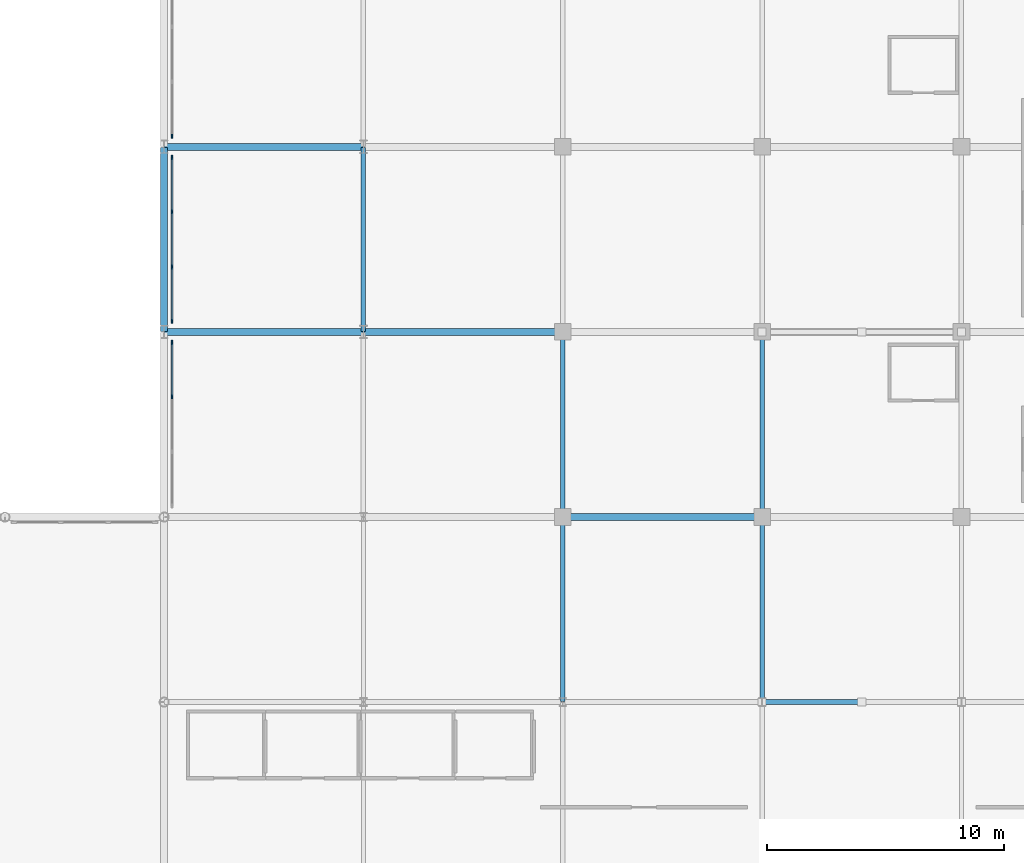
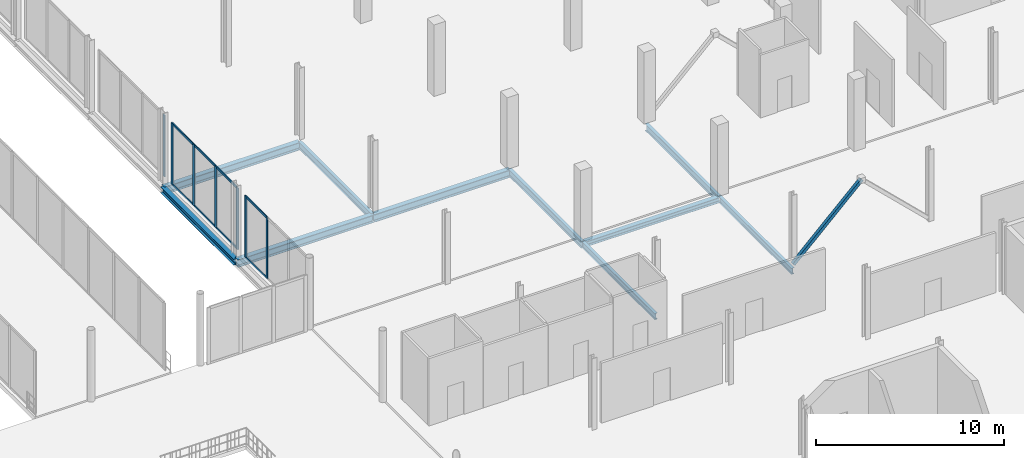
# One storey, part 49 of 98: 16 members, 10 beams, 3 elements without a shape of their own.
"""IFC4 building model written with IfcOpenShell, lengths in metres."""

import ifcopenshell
import ifcopenshell.guid

model = None  # the IFC model being written
_history = None  # IfcOwnerHistory: only IFC2X3 demands one
_inside = {}  # id of a spatial element -> (the spatial element, [elements in it])
_under = {}  # id of a project, library or spatial element -> (it, [spatial elements below it])
_declared = {}  # id of a project -> (the project, [libraries it declares])
_typed = {}  # id of a type object -> (the type object, [elements of that type])
_made_of = {}  # id of a material, layer set ... -> (it, [elements and type objects made of it])


def new_model(schema):
    """Start an empty IFC model of exactly this schema.

    Asked for "IFC4X3", IfcOpenShell would pick the latest addendum, in which some entities
    have other attributes; the version numbers below select the first issue.
    IFC2X3 requires an IfcOwnerHistory on every rooted entity: one is made here for all.
    """
    global model, _history
    if schema == "IFC4X3":
        model = ifcopenshell.file(schema_version=(4, 3, 0, 0))
    else:
        model = ifcopenshell.file(schema=schema)
    _inside.clear()
    _under.clear()
    _declared.clear()
    _typed.clear()
    _made_of.clear()
    _history = None
    if model.schema == "IFC2X3":
        org = make("IfcOrganization", Name="unknown")
        user = make(
            "IfcPersonAndOrganization",
            ThePerson=make("IfcPerson", FamilyName="unknown"),
            TheOrganization=org,
        )
        app = make(
            "IfcApplication",
            ApplicationDeveloper=org,
            Version="unknown",
            ApplicationFullName="unknown",
            ApplicationIdentifier="unknown",
        )
        _history = make(
            "IfcOwnerHistory",
            OwningUser=user,
            OwningApplication=app,
            ChangeAction="ADDED",
            CreationDate=0,
        )
    return model


def make(cls, **values):
    """One entity of the class cls with the attributes given. An attribute that is None is left unset."""
    return model.create_entity(
        cls, **{name: value for name, value in values.items() if value is not None}
    )


def rooted(cls, **values):
    """An entity with a GlobalId (a new one), such as an element, a storey or a relation."""
    return make(cls, GlobalId=ifcopenshell.guid.new(), OwnerHistory=_history, **values)


def si_unit(unit_type, name, prefix=None):
    """IfcSIUnit, for example si_unit("LENGTHUNIT", "METRE", prefix="MILLI")."""
    return make("IfcSIUnit", UnitType=unit_type, Prefix=prefix, Name=name)


def assignment(units):
    """IfcUnitAssignment: the units of a project."""
    return None if units is None else make("IfcUnitAssignment", Units=units)


def point(xyz):
    """IfcCartesianPoint."""
    return None if xyz is None else make("IfcCartesianPoint", Coordinates=xyz)


def direction(xyz):
    """IfcDirection."""
    return None if xyz is None else make("IfcDirection", DirectionRatios=xyz)


def frame(location, z_axis=None, x_axis=None):
    """IfcAxis2Placement3D, a coordinate frame: its origin and axes. An axis left out is left unset."""
    return make(
        "IfcAxis2Placement3D",
        Location=point(location),
        Axis=direction(z_axis),
        RefDirection=direction(x_axis),
    )


def frame_2d(location, x_axis=None):
    """IfcAxis2Placement2D, a coordinate frame in the plane: its origin and x axis."""
    return make(
        "IfcAxis2Placement2D", Location=point(location), RefDirection=direction(x_axis)
    )


def origin():
    """The frame at (0, 0, 0) with its axes left unset."""
    return frame((0.0, 0.0, 0.0))


def origin_2d():
    """The frame at (0, 0) in the plane with its x axis left unset."""
    return frame_2d((0.0, 0.0))


def place(relative_to, where):
    """IfcLocalPlacement: puts the frame where relative to a parent placement (None: the world)."""
    return make(
        "IfcLocalPlacement", PlacementRelTo=relative_to, RelativePlacement=where
    )


def context(
    kind, dimensions, precision=None, world=None, true_north=None, identifier=None
):
    """IfcGeometricRepresentationContext, for example the 3D "Model" context."""
    return make(
        "IfcGeometricRepresentationContext",
        ContextIdentifier=identifier,
        ContextType=kind,
        CoordinateSpaceDimension=dimensions,
        Precision=precision,
        WorldCoordinateSystem=world,
        TrueNorth=true_north,
    )


def subcontext(parent, identifier, kind, view, scale=None):
    """IfcGeometricRepresentationSubContext, for example "Body" below "Model"."""
    return make(
        "IfcGeometricRepresentationSubContext",
        ContextIdentifier=identifier,
        ContextType=kind,
        ParentContext=parent,
        TargetScale=scale,
        TargetView=view,
    )


def project(units=None, contexts=None):
    """IfcProject with its units and contexts."""
    return rooted(
        "IfcProject",
        Name="project",
        RepresentationContexts=contexts,
        UnitsInContext=assignment(units),
    )


def spatial(cls, under=None, at=None, **own):
    """A site, building, storey or space (cls), placed at a placement, below another one or the project."""
    s = rooted(cls, ObjectPlacement=at, **own)
    if under is not None:
        _under.setdefault(under.id(), (under, []))[1].append(s)
    return s


def profile(cls, at=None, kind="AREA", **sizes):
    """A parametric profile (cls). Its sizes go by their IFC names, for example OverallWidth=200.0."""
    return make(cls, ProfileType=kind, Position=at, **sizes)


def rectangle(**sizes):
    """IfcRectangleProfileDef."""
    return profile("IfcRectangleProfileDef", **sizes)


def hollow_rectangle(**sizes):
    """IfcRectangleHollowProfileDef."""
    return profile("IfcRectangleHollowProfileDef", **sizes)


def i_section(**sizes):
    """IfcIShapeProfileDef."""
    return profile("IfcIShapeProfileDef", **sizes)


def extrude(swept, where, along, depth):
    """IfcExtrudedAreaSolid: the profile swept, set in the frame where, extruded along a direction by depth."""
    return make(
        "IfcExtrudedAreaSolid",
        SweptArea=swept,
        Position=where,
        ExtrudedDirection=direction(along),
        Depth=depth,
    )


def shape(context_of_items, identifier, shape_type, items):
    """IfcShapeRepresentation: the items that make up one representation, for example the "Body"."""
    return make(
        "IfcShapeRepresentation",
        ContextOfItems=context_of_items,
        RepresentationIdentifier=identifier,
        RepresentationType=shape_type,
        Items=items,
    )


def material(Name=None, Category=None):
    """IfcMaterial."""
    return make("IfcMaterial", Name=Name, Category=Category)


def material_profile(
    of_material, cross_section, Name=None, Category=None, Priority=None
):
    """IfcMaterialProfile: a cross section and its material."""
    return make(
        "IfcMaterialProfile",
        Name=Name,
        Material=of_material,
        Profile=cross_section,
        Priority=Priority,
        Category=Category,
    )


def profile_set(profiles, Name=None, composite=None):
    """IfcMaterialProfileSet."""
    return make(
        "IfcMaterialProfileSet",
        Name=Name,
        MaterialProfiles=profiles,
        CompositeProfile=composite,
    )


def made_of(thing, what):
    """Note that an element or type object is made of a material, layer set ...; save() writes the relation."""
    if what is not None:
        _made_of.setdefault(what.id(), (what, []))[1].append(thing)
    return thing


def type_object(cls, material=None, **own):
    """A type object (cls), such as IfcWallType, which elements share."""
    return made_of(rooted(cls, **own), material)


def element(
    cls,
    number,
    at=None,
    inside=None,
    cuts=None,
    type_object=None,
    material=None,
    context=None,
    identifier="Body",
    shape_type=None,
    held_by="IfcProductDefinitionShape",
    body=None,
    shapes=None,
    **own,
):
    """One element of the class cls, such as IfcWall. Its Tag is "e" and its number.

    at: its placement. inside: the storey or other place that contains it. cuts: it is an
    opening in that element (IfcRelVoidsElement). A single representation is given by context,
    identifier, shape_type and body (its items); several are given by shapes. held_by: the class
    of the entity that holds the representations. save() writes the other relations.
    """
    e = rooted(cls, Tag="e%d" % number, ObjectPlacement=at, **own)
    if body is not None:
        shapes = [shape(context, identifier, shape_type, body)]
    if shapes is not None:
        e.Representation = make(held_by, Representations=shapes)
    if inside is not None:
        _inside.setdefault(inside.id(), (inside, []))[1].append(e)
    if cuts is not None:
        rooted(
            "IfcRelVoidsElement", RelatingBuildingElement=cuts, RelatedOpeningElement=e
        )
    if type_object is not None:
        _typed.setdefault(type_object.id(), (type_object, []))[1].append(e)
    return made_of(e, material)


def aggregate(whole, parts):
    """IfcRelAggregates: a whole, such as a stair, and the parts it consists of."""
    return rooted("IfcRelAggregates", RelatingObject=whole, RelatedObjects=parts)


def save(model, path):
    """Write the relations noted so far, then the file.

    IfcRelAggregates (storeys below a building ...), IfcRelContainedInSpatialStructure (elements
    in a storey), IfcRelDefinesByType, IfcRelAssociatesMaterial and IfcRelDeclares: one each for
    every whole, place, type object, material and project.
    """
    for whole, parts in _under.values():
        aggregate(whole, parts)
    for where, things in _inside.values():
        rooted(
            "IfcRelContainedInSpatialStructure",
            RelatedElements=things,
            RelatingStructure=where,
        )
    for kind, things in _typed.values():
        rooted("IfcRelDefinesByType", RelatedObjects=things, RelatingType=kind)
    for what, things in _made_of.values():
        rooted("IfcRelAssociatesMaterial", RelatedObjects=things, RelatingMaterial=what)
    for by, libraries in _declared.values():
        rooted("IfcRelDeclares", RelatingContext=by, RelatedDefinitions=libraries)
    model.write(path)


model = new_model("IFC4")

# Units and contexts
model_context = context("Model", 3, precision=1e-05, world=origin(), true_north=direction((0.0, 1.0)))
body_context = subcontext(model_context, "Body", "Model", "MODEL_VIEW")
ifc_project = project(units=[si_unit("LENGTHUNIT", "METRE"), si_unit("AREAUNIT", "SQUARE_METRE"), si_unit("VOLUMEUNIT", "CUBIC_METRE"), si_unit("PLANEANGLEUNIT", "RADIAN"), si_unit("MASSUNIT", "GRAM", prefix="KILO")], contexts=[model_context])

# Site, building, storey
site_placement = place(None, origin())
site = spatial("IfcSite", under=ifc_project, at=site_placement, CompositionType="ELEMENT")
building_placement = place(site_placement, origin())
building = spatial("IfcBuilding", under=site, at=building_placement, Name="Nabrawat Pavilion Hospital", CompositionType="ELEMENT")
storey_placement = place(building_placement, frame((0.0, 0.0, 10.199951171875)))
storey = spatial("IfcBuildingStorey", under=building, at=storey_placement, Name="L02", CompositionType="ELEMENT", Elevation=10.199951171875)

# Curtain wall, members
ifc_material_1 = material(Name="Anodised Aluminium", Category="aluminium")
curtain_wall_type = type_object("IfcCurtainWallType", Name="Healing Garden Cloister Curtain Wall", PredefinedType="USERDEFINED", material=ifc_material_1)
curtain_wall_1_placement = place(storey_placement, origin())
curtain_wall_1 = element("IfcCurtainWall", 1, at=curtain_wall_1_placement, inside=storey, type_object=curtain_wall_type, Name="L02 Healing Garden Cloister Curtain Wall 131", ObjectType="CURTAIN WALL", PredefinedType="USERDEFINED")
ifc_material_profile_1 = material_profile(ifc_material_1, rectangle(XDim=0.06494140625, YDim=0.179931640625, at=origin_2d()), Name="CWM 65x180")
ifc_profile_set_1 = profile_set([ifc_material_profile_1], Name="Anodised Aluminium")
member_type_1 = type_object("IfcMemberType", Name="Healing Garden Cloister Curtain Wall Mullion CWM 65x180", PredefinedType="MULLION", material=ifc_profile_set_1)
member_1_placement = place(storey_placement, frame((126.340087890625, 44.070068359375, 0.0), z_axis=(0.0, 0.0, 1.0), x_axis=(-1.0, 0.0, 0.0)))
member_1 = element("IfcMember", 2, at=member_1_placement, type_object=member_type_1, Name="CW-CLN-01 mullion 3", PredefinedType="MULLION", context=body_context, shape_type="SweptSolid", body=[
    extrude(rectangle(XDim=0.06494140625, YDim=0.179931640625, at=origin_2d()), origin(), (0.0, 0.0, 1.0), 3.989990234375),
])
member_2_placement = place(storey_placement, frame((126.340087890625, 46.3525390625, 0.0), z_axis=(0.0, 0.0, 1.0), x_axis=(-1.0, 0.0, 0.0)))
member_2 = element("IfcMember", 3, at=member_2_placement, type_object=member_type_1, Name="CW-CLN-01 mullion 4", PredefinedType="MULLION", context=body_context, shape_type="SweptSolid", body=[
    extrude(rectangle(XDim=0.06494140625, YDim=0.179931640625, at=origin_2d()), origin(), (0.0, 0.0, 1.0), 3.989990234375),
])

curtain_wall_2_placement = place(storey_placement, origin())
curtain_wall_2 = element("IfcCurtainWall", 4, at=curtain_wall_2_placement, inside=storey, type_object=curtain_wall_type, Name="L02 Healing Garden Cloister Curtain Wall 132", ObjectType="CURTAIN WALL", PredefinedType="USERDEFINED")
member_3_placement = place(storey_placement, frame((126.340087890625, 47.24755859375, 0.0), z_axis=(0.0, 0.0, 1.0), x_axis=(-1.0, 0.0, 0.0)))
member_3 = element("IfcMember", 5, at=member_3_placement, type_object=member_type_1, Name="CW-CLN-01 mullion 1", PredefinedType="MULLION", context=body_context, shape_type="SweptSolid", body=[
    extrude(rectangle(XDim=0.06494140625, YDim=0.179931640625, at=origin_2d()), origin(), (0.0, 0.0, 1.0), 3.989990234375),
])
member_4_placement = place(storey_placement, frame((126.340087890625, 49.538330078125, 0.0), z_axis=(0.0, 0.0, 1.0), x_axis=(-1.0, 0.0, 0.0)))
member_4 = element("IfcMember", 6, at=member_4_placement, type_object=member_type_1, Name="CW-CLN-01 mullion 2", PredefinedType="MULLION", context=body_context, shape_type="SweptSolid", body=[
    extrude(rectangle(XDim=0.06494140625, YDim=0.179931640625, at=origin_2d()), origin(), (0.0, 0.0, 1.0), 3.989990234375),
])
member_5_placement = place(storey_placement, frame((126.340087890625, 51.861572265625, 0.0), z_axis=(0.0, 0.0, 1.0), x_axis=(-1.0, 0.0, 0.0)))
member_5 = element("IfcMember", 7, at=member_5_placement, type_object=member_type_1, Name="CW-CLN-01 mullion 3", PredefinedType="MULLION", context=body_context, shape_type="SweptSolid", body=[
    extrude(rectangle(XDim=0.06494140625, YDim=0.179931640625, at=origin_2d()), origin(), (0.0, 0.0, 1.0), 3.989990234375),
])
member_6_placement = place(storey_placement, frame((126.340087890625, 54.152587890625, 0.0), z_axis=(0.0, 0.0, 1.0), x_axis=(-1.0, 0.0, 0.0)))
member_6 = element("IfcMember", 8, at=member_6_placement, type_object=member_type_1, Name="CW-CLN-01 mullion 4", PredefinedType="MULLION", context=body_context, shape_type="SweptSolid", body=[
    extrude(rectangle(XDim=0.06494140625, YDim=0.179931640625, at=origin_2d()), origin(), (0.0, 0.0, 1.0), 3.989990234375),
])

# Curtain wall, member
curtain_wall_3_placement = place(storey_placement, origin())
curtain_wall_3 = element("IfcCurtainWall", 9, at=curtain_wall_3_placement, inside=storey, type_object=curtain_wall_type, Name="L02 Healing Garden Cloister Curtain Wall 133", ObjectType="CURTAIN WALL", PredefinedType="USERDEFINED")
member_7_placement = place(storey_placement, frame((126.340087890625, 55.047607421875, 0.0), z_axis=(0.0, 0.0, 1.0), x_axis=(-1.0, 0.0, 0.0)))
member_7 = element("IfcMember", 10, at=member_7_placement, type_object=member_type_1, Name="CW-CLN-01 mullion 1", PredefinedType="MULLION", context=body_context, shape_type="SweptSolid", body=[
    extrude(rectangle(XDim=0.06494140625, YDim=0.179931640625, at=origin_2d()), origin(), (0.0, 0.0, 1.0), 3.989990234375),
])
aggregate(curtain_wall_3, [member_7])

# Member
ifc_material_profile_2 = material_profile(ifc_material_1, rectangle(XDim=0.06494140625, YDim=0.135009765625, at=origin_2d()), Name="CWT 65x135")
ifc_profile_set_2 = profile_set([ifc_material_profile_2], Name="Anodised Aluminium")
member_type_2 = type_object("IfcMemberType", Name="Healing Garden Cloister Curtain Wall Transom CWT 65x135", PredefinedType="USERDEFINED", material=ifc_profile_set_2)
member_8_placement = place(storey_placement, frame((126.340087890625, 44.1025390625, 0.032470703125), z_axis=(0.0, 1.0, 0.0), x_axis=(-1.0, 0.0, 0.0)))
member_8 = element("IfcMember", 11, at=member_8_placement, type_object=member_type_2, Name="CW-CLN-01 transom 3.1", ObjectType="TRANSOM", PredefinedType="USERDEFINED", context=body_context, shape_type="SweptSolid", body=[
    extrude(rectangle(XDim=0.06494140625, YDim=0.135009765625, at=origin_2d()), origin(), (0.0, 0.0, 1.0), 2.217529296875),
])

member_9_placement = place(storey_placement, frame((126.340087890625, 44.1025390625, 3.95751953125), z_axis=(0.0, 1.0, 0.0), x_axis=(-1.0, 0.0, 0.0)))
member_9 = element("IfcMember", 12, at=member_9_placement, type_object=member_type_2, Name="CW-CLN-01 transom 3.2", ObjectType="TRANSOM", PredefinedType="USERDEFINED", context=body_context, shape_type="SweptSolid", body=[
    extrude(rectangle(XDim=0.06494140625, YDim=0.135009765625, at=origin_2d()), origin(), (0.0, 0.0, 1.0), 2.217529296875),
])

aggregate(curtain_wall_1, [member_1, member_2, member_8, member_9])

member_10_placement = place(storey_placement, frame((126.340087890625, 47.280029296875, 0.032470703125), z_axis=(0.0, 1.0, 0.0), x_axis=(-1.0, 0.0, 0.0)))
member_10 = element("IfcMember", 13, at=member_10_placement, type_object=member_type_2, Name="CW-CLN-01 transom 1.1", ObjectType="TRANSOM", PredefinedType="USERDEFINED", context=body_context, shape_type="SweptSolid", body=[
    extrude(rectangle(XDim=0.06494140625, YDim=0.135009765625, at=origin_2d()), origin(), (0.0, 0.0, 1.0), 2.225830078125),
])

member_11_placement = place(storey_placement, frame((126.340087890625, 47.280029296875, 3.95751953125), z_axis=(0.0, 1.0, 0.0), x_axis=(-1.0, 0.0, 0.0)))
member_11 = element("IfcMember", 14, at=member_11_placement, type_object=member_type_2, Name="CW-CLN-01 transom 1.2", ObjectType="TRANSOM", PredefinedType="USERDEFINED", context=body_context, shape_type="SweptSolid", body=[
    extrude(rectangle(XDim=0.06494140625, YDim=0.135009765625, at=origin_2d()), origin(), (0.0, 0.0, 1.0), 2.225830078125),
])

member_12_placement = place(storey_placement, frame((126.340087890625, 49.57080078125, 0.032470703125), z_axis=(0.0, 1.0, 0.0), x_axis=(-1.0, 0.0, 0.0)))
member_12 = element("IfcMember", 15, at=member_12_placement, type_object=member_type_2, Name="CW-CLN-01 transom 2.1", ObjectType="TRANSOM", PredefinedType="USERDEFINED", context=body_context, shape_type="SweptSolid", body=[
    extrude(rectangle(XDim=0.06494140625, YDim=0.135009765625, at=origin_2d()), origin(), (0.0, 0.0, 1.0), 2.25830078125),
])

member_13_placement = place(storey_placement, frame((126.340087890625, 49.57080078125, 3.95751953125), z_axis=(0.0, 1.0, 0.0), x_axis=(-1.0, 0.0, 0.0)))
member_13 = element("IfcMember", 16, at=member_13_placement, type_object=member_type_2, Name="CW-CLN-01 transom 2.2", ObjectType="TRANSOM", PredefinedType="USERDEFINED", context=body_context, shape_type="SweptSolid", body=[
    extrude(rectangle(XDim=0.06494140625, YDim=0.135009765625, at=origin_2d()), origin(), (0.0, 0.0, 1.0), 2.25830078125),
])

member_14_placement = place(storey_placement, frame((126.340087890625, 51.894287109375, 0.032470703125), z_axis=(0.0, 1.0, 0.0), x_axis=(-1.0, 0.0, 0.0)))
member_14 = element("IfcMember", 17, at=member_14_placement, type_object=member_type_2, Name="CW-CLN-01 transom 3.1", ObjectType="TRANSOM", PredefinedType="USERDEFINED", context=body_context, shape_type="SweptSolid", body=[
    extrude(rectangle(XDim=0.06494140625, YDim=0.135009765625, at=origin_2d()), origin(), (0.0, 0.0, 1.0), 2.225830078125),
])

member_15_placement = place(storey_placement, frame((126.340087890625, 51.894287109375, 3.95751953125), z_axis=(0.0, 1.0, 0.0), x_axis=(-1.0, 0.0, 0.0)))
member_15 = element("IfcMember", 18, at=member_15_placement, type_object=member_type_2, Name="CW-CLN-01 transom 3.2", ObjectType="TRANSOM", PredefinedType="USERDEFINED", context=body_context, shape_type="SweptSolid", body=[
    extrude(rectangle(XDim=0.06494140625, YDim=0.135009765625, at=origin_2d()), origin(), (0.0, 0.0, 1.0), 2.225830078125),
])

aggregate(curtain_wall_2, [member_3, member_4, member_5, member_6, member_10, member_11, member_12, member_13, member_14, member_15])

ifc_material_2 = material(Name="Steel S355", Category="steel")
ifc_material_profile_3 = material_profile(ifc_material_2, hollow_rectangle(XDim=0.199951171875, YDim=0.199951171875, WallThickness=0.012451171875, at=origin_2d()), Name="SHS 200x200x12.5")
ifc_profile_set_3 = profile_set([ifc_material_profile_3], Name="Steel S355")
member_type_3 = type_object("IfcMemberType", Name="Mid Seismic Chevron Brace SHS 200x200x12.5", PredefinedType="BRACE", material=ifc_profile_set_3)
member_16_placement = place(storey_placement, frame((151.199951171875, 31.199951171875, 0.050048828125), z_axis=(0.719836081517, 0.0, 0.694144088606), x_axis=(0.0, 1.0, 0.0)))
element("IfcMember", 19, at=member_16_placement, inside=storey, type_object=member_type_3, Name="L02 Seismic Concentric Chevron Brace 041", PredefinedType="BRACE", context=body_context, shape_type="SweptSolid", body=[
    extrude(hollow_rectangle(XDim=0.199951171875, YDim=0.199951171875, WallThickness=0.012451171875, at=origin_2d()), origin(), (0.0, 0.0, 1.0), 5.83447265625),
])

# Beams
ifc_material_profile_4 = material_profile(ifc_material_2, i_section(OverallWidth=0.300048828125, OverallDepth=0.389892578125, WebThickness=0.010986328125, FlangeThickness=0.01904296875, FilletRadius=0.027099609375, at=origin_2d()), Name="HEA 400")
ifc_profile_set_4 = profile_set([ifc_material_profile_4], Name="Steel S355")
beam_type_1 = type_object("IfcBeamType", Name="Perimeter Moment Spandrel Beam HEA 400", PredefinedType="SPANDREL", material=ifc_profile_set_4)
beam_1_placement = place(storey_placement, frame((126.0, 46.820068359375, -0.445068359375), z_axis=(0.0, 1.0, 0.0), x_axis=(-1.0, 0.0, 0.0)))
element("IfcBeam", 20, at=beam_1_placement, inside=storey, type_object=beam_type_1, Name="L02 Primary Y Beam 1282", PredefinedType="SPANDREL", context=body_context, shape_type="SweptSolid", body=[
    extrude(i_section(OverallWidth=0.300048828125, OverallDepth=0.389892578125, WebThickness=0.010986328125, FlangeThickness=0.01904296875, FilletRadius=0.027099609375, at=origin_2d()), origin(), (0.0, 0.0, 1.0), 7.760009765625),
])
ifc_material_profile_5 = material_profile(ifc_material_2, i_section(OverallWidth=0.300048828125, OverallDepth=0.5, WebThickness=0.014404296875, FlangeThickness=0.028076171875, FilletRadius=0.027099609375, at=origin_2d()), Name="HEB 500")
ifc_profile_set_5 = profile_set([ifc_material_profile_5], Name="Steel S355")
beam_type_2 = type_object("IfcBeamType", Name="Primary Floor Girder HEB 500", PredefinedType="USERDEFINED", material=ifc_profile_set_5)
beam_2_placement = place(storey_placement, frame((126.02001953125, 46.800048828125, -0.5), z_axis=(1.0, 0.0, 0.0), x_axis=(0.0, 1.0, 0.0)))
element("IfcBeam", 21, at=beam_2_placement, inside=storey, type_object=beam_type_2, Name="L02 Primary X Girder 1018", ObjectType="GIRDER", PredefinedType="USERDEFINED", context=body_context, shape_type="SweptSolid", body=[
    extrude(i_section(OverallWidth=0.300048828125, OverallDepth=0.5, WebThickness=0.014404296875, FlangeThickness=0.028076171875, FilletRadius=0.027099609375, at=origin_2d()), origin(), (0.0, 0.0, 1.0), 8.35986328125),
])
beam_3_placement = place(storey_placement, frame((134.419921875, 46.800048828125, -0.5), z_axis=(1.0, 0.0, 0.0), x_axis=(0.0, 1.0, 0.0)))
element("IfcBeam", 22, at=beam_3_placement, inside=storey, type_object=beam_type_2, Name="L02 Primary X Girder 1019", ObjectType="GIRDER", PredefinedType="USERDEFINED", context=body_context, shape_type="SweptSolid", body=[
    extrude(i_section(OverallWidth=0.300048828125, OverallDepth=0.5, WebThickness=0.014404296875, FlangeThickness=0.028076171875, FilletRadius=0.027099609375, at=origin_2d()), origin(), (0.0, 0.0, 1.0), 8.360107421875),
])
beam_4_placement = place(storey_placement, frame((126.02001953125, 54.60009765625, -0.5), z_axis=(1.0, 0.0, 0.0), x_axis=(0.0, 1.0, 0.0)))
element("IfcBeam", 23, at=beam_4_placement, inside=storey, type_object=beam_type_2, Name="L02 Primary X Girder 1032", ObjectType="GIRDER", PredefinedType="USERDEFINED", context=body_context, shape_type="SweptSolid", body=[
    extrude(i_section(OverallWidth=0.300048828125, OverallDepth=0.5, WebThickness=0.014404296875, FlangeThickness=0.028076171875, FilletRadius=0.027099609375, at=origin_2d()), origin(), (0.0, 0.0, 1.0), 8.35986328125),
])
ifc_material_profile_6 = material_profile(ifc_material_2, i_section(OverallWidth=0.18994140625, OverallDepth=0.449951171875, WebThickness=0.009521484375, FlangeThickness=0.0146484375, FilletRadius=0.02099609375, at=origin_2d()), Name="IPE 450")
ifc_profile_set_6 = profile_set([ifc_material_profile_6], Name="Steel S355")
beam_type_3 = type_object("IfcBeamType", Name="Primary Y Floor Beam IPE 450", PredefinedType="BEAM", material=ifc_profile_set_6)
for number, where, z_axis, x_axis, name in (
    (24, (134.39990234375, 46.820068359375, -0.474853515625), (0.0, 1.0, 0.0), (-1.0, 0.0, 0.0), "L02 Primary Y Beam 1298"),
    (25, (142.800048828125, 39.02001953125, -0.474853515625), (0.0, 1.0, 0.0), (-1.0, 0.0, 0.0), "L02 Primary Y Beam 1313"),
    (26, (151.199951171875, 39.02001953125, -0.474853515625), (0.0, 1.0, 0.0), (-1.0, 0.0, 0.0), "L02 Primary Y Beam 1329"),
):
    element("IfcBeam", number, at=place(storey_placement, frame(where, z_axis=z_axis, x_axis=x_axis)), inside=storey, type_object=beam_type_3, Name=name, PredefinedType="BEAM", context=body_context, shape_type="SweptSolid", body=[
        extrude(i_section(OverallWidth=0.18994140625, OverallDepth=0.449951171875, WebThickness=0.009521484375, FlangeThickness=0.0146484375, FilletRadius=0.02099609375, at=origin_2d()), origin(), (0.0, 0.0, 1.0), 7.760009765625),
    ])
ifc_material_profile_7 = material_profile(ifc_material_2, i_section(OverallWidth=0.179931640625, OverallDepth=0.39990234375, WebThickness=0.008544921875, FlangeThickness=0.013427734375, FilletRadius=0.02099609375, at=origin_2d()), Name="IPE 400")
ifc_profile_set_7 = profile_set([ifc_material_profile_7], Name="Steel S355")
beam_type_4 = type_object("IfcBeamType", Name="Standard Y Floor Beam IPE 400", PredefinedType="BEAM", material=ifc_profile_set_7)
for number, where, z_axis, x_axis, name in (
    (27, (142.800048828125, 31.219970703125, -0.429931640625), (0.0, 1.0, 0.0), (-1.0, 0.0, 0.0), "L02 Primary Y Beam 1312"),
    (28, (151.199951171875, 31.219970703125, -0.429931640625), (0.0, 1.0, 0.0), (-1.0, 0.0, 0.0), "L02 Primary Y Beam 1328"),
):
    element("IfcBeam", number, at=place(storey_placement, frame(where, z_axis=z_axis, x_axis=x_axis)), inside=storey, type_object=beam_type_4, Name=name, PredefinedType="BEAM", context=body_context, shape_type="SweptSolid", body=[
        extrude(i_section(OverallWidth=0.179931640625, OverallDepth=0.39990234375, WebThickness=0.008544921875, FlangeThickness=0.013427734375, FilletRadius=0.02099609375, at=origin_2d()), origin(), (0.0, 0.0, 1.0), 7.760009765625),
    ])
ifc_material_profile_8 = material_profile(ifc_material_2, i_section(OverallWidth=0.300048828125, OverallDepth=0.340087890625, WebThickness=0.011962890625, FlangeThickness=0.021484375, FilletRadius=0.027099609375, at=origin_2d()), Name="HEB 340")
ifc_profile_set_8 = profile_set([ifc_material_profile_8], Name="Steel S355")
beam_type_5 = type_object("IfcBeamType", Name="Ward Perimeter Spandrel Beam HEB 340", PredefinedType="SPANDREL", material=ifc_profile_set_8)
beam_5_placement = place(storey_placement, frame((142.820068359375, 39.0, -0.419921875), z_axis=(1.0, 0.0, 0.0), x_axis=(0.0, 1.0, 0.0)))
element("IfcBeam", 29, at=beam_5_placement, inside=storey, type_object=beam_type_5, Name="L02 Primary X Girder 1008", PredefinedType="SPANDREL", context=body_context, shape_type="SweptSolid", body=[
    extrude(i_section(OverallWidth=0.300048828125, OverallDepth=0.340087890625, WebThickness=0.011962890625, FlangeThickness=0.021484375, FilletRadius=0.027099609375, at=origin_2d()), origin(), (0.0, 0.0, 1.0), 8.35986328125),
])

save(model, "model.ifc")
